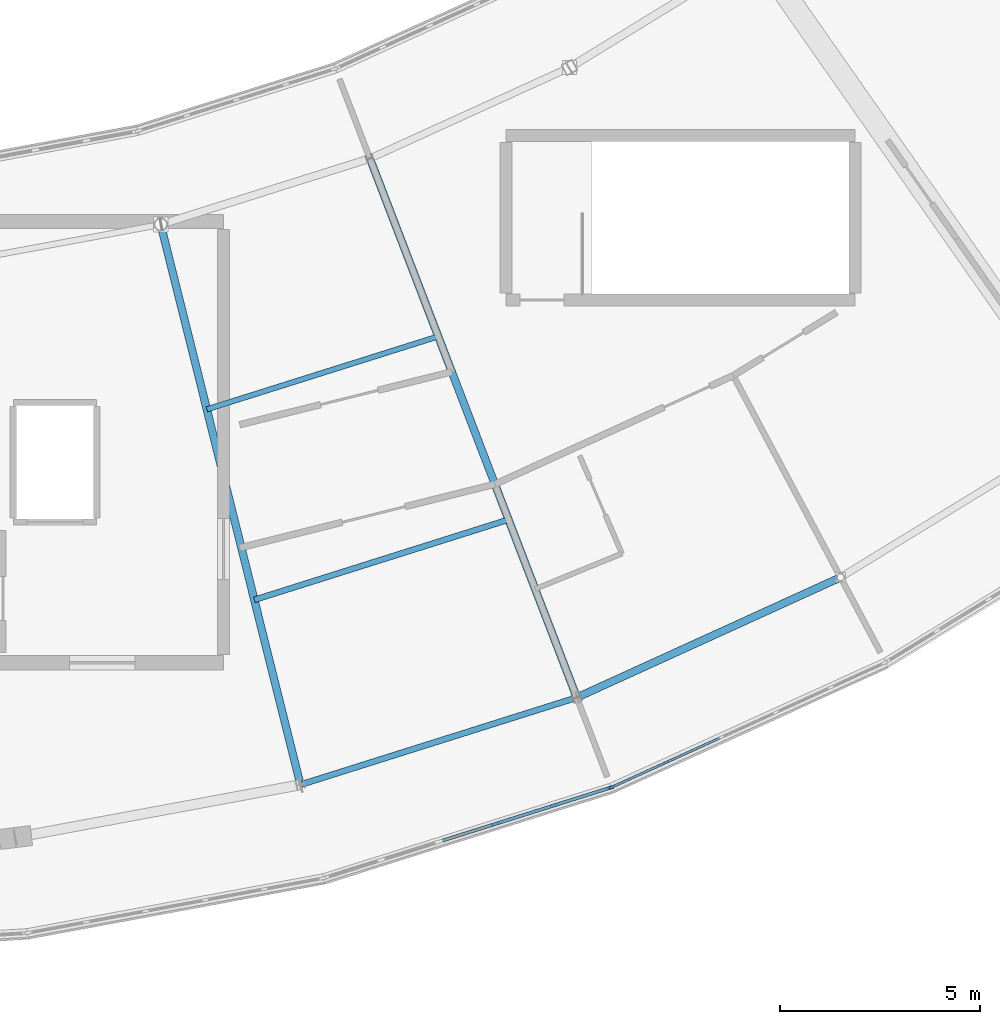
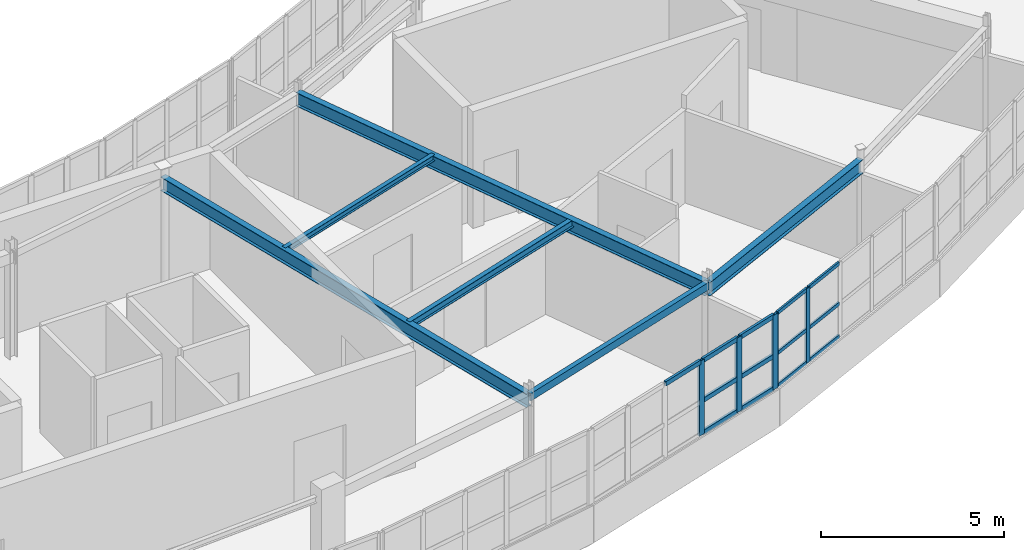
# One storey, part 25 of 79: 18 members, 6 beams, 2 elements without a shape of their own.
"""IFC4 building model written with IfcOpenShell, lengths in metres."""

from ifc_helpers import new_model, si_unit, direction, frame, origin, origin_2d, place, context, subcontext, project, spatial, rectangle, hollow_rectangle, i_section, extrude, material, layer, layer_set, material_profile, profile_set, type_object, element, aggregate, save


model = new_model("IFC4")

# Units and contexts
model_context = context("Model", 3, precision=1e-05, world=origin(), true_north=direction((0.0, 1.0)))
body_context = subcontext(model_context, "Body", "Model", "MODEL_VIEW")
ifc_project = project(units=[si_unit("LENGTHUNIT", "METRE"), si_unit("AREAUNIT", "SQUARE_METRE"), si_unit("VOLUMEUNIT", "CUBIC_METRE"), si_unit("PLANEANGLEUNIT", "RADIAN"), si_unit("MASSUNIT", "GRAM", prefix="KILO")], contexts=[model_context])

# Site, building, storey
site_placement = place(None, origin())
site = spatial("IfcSite", under=ifc_project, at=site_placement, CompositionType="ELEMENT")
building_placement = place(site_placement, origin())
building = spatial("IfcBuilding", under=site, at=building_placement, Name="Tarnwether General Hospital", CompositionType="ELEMENT")
storey_placement = place(building_placement, frame((0.0, 0.0, 18.300048828125)))
storey = spatial("IfcBuildingStorey", under=building, at=storey_placement, Name="L04", CompositionType="ELEMENT", Elevation=18.300048828125)

# Beams
ifc_material_1 = material(Name="Steel Grade 350 (350 MPa)", Category="steel")
ifc_material_profile_1 = material_profile(ifc_material_1, i_section(OverallWidth=0.19091796875, OverallDepth=0.4599609375, WebThickness=0.010009765625, FlangeThickness=0.01611328125, at=origin_2d()), Name="460UB82.1")
ifc_profile_set_1 = profile_set([ifc_material_profile_1], Name="Steel Grade 350 (350 MPa)")
beam_type_1 = type_object("IfcBeamType", Name="BM-G08", PredefinedType="BEAM", material=ifc_profile_set_1)
beam_1_placement = place(storey_placement, frame((106.322021484375, 5.55810546875, 3.329833984375), z_axis=(-0.241941215118, 0.970290909175, 0.0), x_axis=(-0.970290909175, -0.241941215118, 0.0)))
element("IfcBeam", 1, at=beam_1_placement, inside=storey, type_object=beam_type_1, Name="Curved Ward SE Radial Girder BMG-L04-10632_556-10284_1953-2135", PredefinedType="BEAM", context=body_context, shape_type="SweptSolid", body=[
    extrude(i_section(OverallWidth=0.19091796875, OverallDepth=0.4599609375, WebThickness=0.010009765625, FlangeThickness=0.01611328125, at=origin_2d()), origin(), (0.0, 0.0, 1.0), 14.400634765625),
])
ifc_material_2 = material(Name="Steel Grade 350 (350 MPa)", Category="steel")
ifc_material_profile_2 = material_profile(ifc_material_2, i_section(OverallWidth=0.18994140625, OverallDepth=0.45703125, WebThickness=0.009033203125, FlangeThickness=0.014404296875, at=origin_2d()), Name="460UB74.6")
ifc_profile_set_2 = profile_set([ifc_material_profile_2], Name="Steel Grade 350 (350 MPa)")
beam_type_2 = type_object("IfcBeamType", Name="BM-G09", PredefinedType="BEAM", material=ifc_profile_set_2)
beam_2_placement = place(storey_placement, frame((113.215087890625, 7.73193359375, 3.33154296875), z_axis=(-0.358334838026, 0.933593136145, 0.0), x_axis=(-0.933593136145, -0.358334838026, 0.0)))
element("IfcBeam", 2, at=beam_2_placement, inside=storey, type_object=beam_type_2, Name="Curved Ward SE Radial Girder BMG-L04-11322_773-10806_2118-2136", PredefinedType="BEAM", context=body_context, shape_type="SweptSolid", body=[
    extrude(i_section(OverallWidth=0.18994140625, OverallDepth=0.45703125, WebThickness=0.009033203125, FlangeThickness=0.014404296875, at=origin_2d()), origin(), (0.0, 0.0, 1.0), 14.400390625),
])
ifc_material_3 = material(Name="Steel Grade 350 (350 MPa)", Category="steel")
ifc_material_profile_3 = material_profile(ifc_material_3, i_section(OverallWidth=0.14599609375, OverallDepth=0.256103515625, WebThickness=0.00634765625, FlangeThickness=0.010986328125, at=origin_2d()), Name="250UB37.3")
ifc_profile_set_3 = profile_set([ifc_material_profile_3], Name="Steel Grade 350 (350 MPa)")
beam_type_3 = type_object("IfcBeamType", Name="BM-J09", PredefinedType="JOIST", material=ifc_profile_set_3)
beam_3_placement = place(storey_placement, frame((105.172119140625, 10.1689453125, 3.431884765625), z_axis=(0.953671429399, 0.300850136693, 0.0), x_axis=(-0.300850136693, 0.953671429399, 0.0)))
element("IfcBeam", 3, at=beam_3_placement, inside=storey, type_object=beam_type_3, Name="Curved Ward SE Chord Joist BMG-L04-10517_1017-11151_1217-2158", PredefinedType="JOIST", context=body_context, shape_type="SweptSolid", body=[
    extrude(i_section(OverallWidth=0.14599609375, OverallDepth=0.256103515625, WebThickness=0.00634765625, FlangeThickness=0.010986328125, at=origin_2d()), origin(), (0.0, 0.0, 1.0), 6.64794921875),
])
ifc_material_4 = material(Name="Steel Grade 350 (350 MPa)", Category="steel")
ifc_material_profile_4 = material_profile(ifc_material_4, i_section(OverallWidth=0.134033203125, OverallDepth=0.20703125, WebThickness=0.00634765625, FlangeThickness=0.009521484375, at=origin_2d()), Name="200UB29.8")
ifc_profile_set_4 = profile_set([ifc_material_profile_4], Name="Steel Grade 350 (350 MPa)")
beam_type_4 = type_object("IfcBeamType", Name="BM-J12", PredefinedType="JOIST", material=ifc_profile_set_4)
beam_4_placement = place(storey_placement, frame((103.988037109375, 14.919921875, 3.45654296875), z_axis=(0.953725879816, 0.300677478654, 0.0), x_axis=(-0.300677478654, 0.953725879816, 0.0)))
element("IfcBeam", 4, at=beam_4_placement, inside=storey, type_object=beam_type_4, Name="Curved Ward SE Chord Joist BMG-L04-10399_1492-10976_1674-2159", PredefinedType="JOIST", context=body_context, shape_type="SweptSolid", body=[
    extrude(i_section(OverallWidth=0.134033203125, OverallDepth=0.20703125, WebThickness=0.00634765625, FlangeThickness=0.009521484375, at=origin_2d()), origin(), (0.0, 0.0, 1.0), 6.050048828125),
])
ifc_material_5 = material(Name="Steel Grade 350 (350 MPa)", Category="steel")
ifc_material_profile_5 = material_profile(ifc_material_5, i_section(OverallWidth=0.18994140625, OverallDepth=0.4541015625, WebThickness=0.008544921875, FlangeThickness=0.0126953125, at=origin_2d()), Name="460UB67.1")
ifc_profile_set_5 = profile_set([ifc_material_profile_5], Name="Steel Grade 350 (350 MPa)")
beam_type_5 = type_object("IfcBeamType", Name="BM-SP1", PredefinedType="SPANDREL", material=ifc_profile_set_5)
beam_5_placement = place(storey_placement, frame((113.215087890625, 7.73193359375, 3.31298828125), z_axis=(0.909943842177, 0.414731484316, 0.0), x_axis=(-0.414731484316, 0.909943842177, 0.0)))
element("IfcBeam", 5, at=beam_5_placement, inside=storey, type_object=beam_type_5, Name="Curved Ward SE Outer Spandrel BMG-L04-11322_773-11979_1073-2160", PredefinedType="SPANDREL", context=body_context, shape_type="SweptSolid", body=[
    extrude(i_section(OverallWidth=0.18994140625, OverallDepth=0.4541015625, WebThickness=0.008544921875, FlangeThickness=0.0126953125, at=origin_2d()), origin(), (0.0, 0.0, 1.0), 7.22900390625),
])
ifc_material_6 = material(Name="Steel Grade C350L0 (350 MPa)", Category="steel")
ifc_material_profile_6 = material_profile(ifc_material_6, hollow_rectangle(XDim=0.14990234375, YDim=0.25, WallThickness=0.008056640625, at=origin_2d()), Name="RHS250x150x8")
ifc_profile_set_6 = profile_set([ifc_material_profile_6], Name="Steel Grade C350L0 (350 MPa)")
beam_type_6 = type_object("IfcBeamType", Name="BM-SP8", PredefinedType="SPANDREL", material=ifc_profile_set_6)
beam_6_placement = place(storey_placement, frame((106.322021484375, 5.55810546875, 3.43505859375), z_axis=(0.953698988948, 0.300762761125, 0.0), x_axis=(-0.300762761125, 0.953698988948, 0.0)))
element("IfcBeam", 6, at=beam_6_placement, inside=storey, type_object=beam_type_6, Name="Curved Ward SE Outer Spandrel BMG-L04-10632_556-11322_773-2156", PredefinedType="SPANDREL", context=body_context, shape_type="SweptSolid", body=[
    extrude(hollow_rectangle(XDim=0.14990234375, YDim=0.25, WallThickness=0.008056640625, at=origin_2d()), origin(), (0.0, 0.0, 1.0), 7.227783203125),
])

# Curtain wall, members
ifc_material_7 = material(Name="Anodised aluminium", Category="aluminium")
ifc_layer = layer(ifc_material_7, 0.159912109375)
ifc_layer_set = layer_set([ifc_layer], Name="Anodised aluminium")
curtain_wall_type = type_object("IfcCurtainWallType", Name="CW-09", PredefinedType="NOTDEFINED", material=ifc_layer_set)
curtain_wall_1_placement = place(storey_placement, origin())
curtain_wall_1 = element("IfcCurtainWall", 7, at=curtain_wall_1_placement, inside=storey, type_object=curtain_wall_type, Name="Curtain Wall CWG-L04-1209_86-0194", PredefinedType="NOTDEFINED")
ifc_material_8 = material(Name="Anodised aluminium", Category="aluminium")
ifc_material_profile_7 = material_profile(ifc_material_8, rectangle(XDim=0.06005859375, YDim=0.159912109375, at=origin_2d()), Name="ALU-MUL-60x160")
ifc_profile_set_7 = profile_set([ifc_material_profile_7], Name="Anodised aluminium")
member_type_1 = type_object("IfcMemberType", Name="CW-ML1", PredefinedType="MULLION", material=ifc_profile_set_7)
member_1_placement = place(storey_placement, frame((115.44384765625, 6.11474609375, 1.050048828125), z_axis=(0.0, 0.0, 1.0), x_axis=(0.414694289316, -0.909960793886, 0.0)))
member_1 = element("IfcMember", 8, at=member_1_placement, type_object=member_type_1, Name="CW-09 mullion 5", PredefinedType="MULLION", context=body_context, shape_type="SweptSolid", body=[
    extrude(rectangle(XDim=0.06005859375, YDim=0.159912109375, at=origin_2d()), origin(), (0.0, 0.0, 1.0), 2.489990234375),
])
member_2_placement = place(storey_placement, frame((114.102294921875, 5.50341796875, 1.050048828125), z_axis=(0.0, 0.0, 1.0), x_axis=(0.414694289316, -0.909960793886, 0.0)))
member_2 = element("IfcMember", 9, at=member_2_placement, type_object=member_type_1, Name="CW-09 mullion 6", PredefinedType="MULLION", context=body_context, shape_type="SweptSolid", body=[
    extrude(rectangle(XDim=0.06005859375, YDim=0.159912109375, at=origin_2d()), origin(), (0.0, 0.0, 1.0), 2.489990234375),
])

curtain_wall_2_placement = place(storey_placement, origin())
curtain_wall_2 = element("IfcCurtainWall", 10, at=curtain_wall_2_placement, inside=storey, type_object=curtain_wall_type, Name="Curtain Wall CWG-L04-1141_55-0193", PredefinedType="NOTDEFINED")
ifc_material_9 = material(Name="Anodised aluminium", Category="aluminium")
ifc_material_profile_8 = material_profile(ifc_material_9, rectangle(XDim=0.080078125, YDim=0.199951171875, at=origin_2d()), Name="ALU-MUL-80x200")
ifc_profile_set_8 = profile_set([ifc_material_profile_8], Name="Anodised aluminium")
member_type_2 = type_object("IfcMemberType", Name="CW-ML4", PredefinedType="MULLION", material=ifc_profile_set_8)
member_3_placement = place(storey_placement, frame((114.036865234375, 5.47900390625, 1.050048828125), z_axis=(0.0, 0.0, 1.0), x_axis=(0.300628613299, -0.953741284032, 0.0)))
member_3 = element("IfcMember", 11, at=member_3_placement, type_object=member_type_2, Name="CW-09 mullion 1", PredefinedType="MULLION", context=body_context, shape_type="SweptSolid", body=[
    extrude(rectangle(XDim=0.080078125, YDim=0.199951171875, at=origin_2d()), origin(), (0.0, 0.0, 1.0), 2.489990234375),
])
member_4_placement = place(storey_placement, frame((112.640380859375, 5.038818359375, 1.050048828125), z_axis=(0.0, 0.0, 1.0), x_axis=(0.300628613299, -0.953741284032, 0.0)))
member_4 = element("IfcMember", 12, at=member_4_placement, type_object=member_type_2, Name="CW-09 mullion 2", PredefinedType="MULLION", context=body_context, shape_type="SweptSolid", body=[
    extrude(rectangle(XDim=0.080078125, YDim=0.199951171875, at=origin_2d()), origin(), (0.0, 0.0, 1.0), 2.489990234375),
])
member_5_placement = place(storey_placement, frame((111.205810546875, 4.586669921875, 1.050048828125), z_axis=(0.0, 0.0, 1.0), x_axis=(0.300628613299, -0.953741284032, 0.0)))
member_5 = element("IfcMember", 13, at=member_5_placement, type_object=member_type_2, Name="CW-09 mullion 3", PredefinedType="MULLION", context=body_context, shape_type="SweptSolid", body=[
    extrude(rectangle(XDim=0.080078125, YDim=0.199951171875, at=origin_2d()), origin(), (0.0, 0.0, 1.0), 2.489990234375),
])

# Member
ifc_material_10 = material(Name="Anodised aluminium", Category="aluminium")
ifc_material_profile_9 = material_profile(ifc_material_10, rectangle(XDim=0.06005859375, YDim=0.1201171875, at=origin_2d()), Name="ALU-TRN-60x120")
ifc_profile_set_9 = profile_set([ifc_material_profile_9], Name="Anodised aluminium")
member_type_3 = type_object("IfcMemberType", Name="CW-TR1", PredefinedType="USERDEFINED", material=ifc_profile_set_9)
member_6_placement = place(storey_placement, frame((116.785400390625, 6.72607421875, 1.079833984375), z_axis=(-0.909972397692, -0.414668826219, 0.0), x_axis=(0.414668826219, -0.909972397692, 0.0)))
member_6 = element("IfcMember", 14, at=member_6_placement, type_object=member_type_3, Name="CW-09 transom 4.1", ObjectType="TRANSOM", PredefinedType="USERDEFINED", context=body_context, shape_type="SweptSolid", body=[
    extrude(rectangle(XDim=0.06005859375, YDim=0.1201171875, at=origin_2d()), origin(), (0.0, 0.0, 1.0), 1.4443359375),
])

member_7_placement = place(storey_placement, frame((116.785400390625, 6.72607421875, 2.17041015625), z_axis=(-0.909972397692, -0.414668826219, 0.0), x_axis=(0.414668826219, -0.909972397692, 0.0)))
member_7 = element("IfcMember", 15, at=member_7_placement, type_object=member_type_3, Name="CW-09 transom 4.2", ObjectType="TRANSOM", PredefinedType="USERDEFINED", context=body_context, shape_type="SweptSolid", body=[
    extrude(rectangle(XDim=0.06005859375, YDim=0.1201171875, at=origin_2d()), origin(), (0.0, 0.0, 1.0), 1.4443359375),
])

member_8_placement = place(storey_placement, frame((116.785400390625, 6.72607421875, 3.510009765625), z_axis=(-0.909972397692, -0.414668826219, 0.0), x_axis=(0.414668826219, -0.909972397692, 0.0)))
member_8 = element("IfcMember", 16, at=member_8_placement, type_object=member_type_3, Name="CW-09 transom 4.3", ObjectType="TRANSOM", PredefinedType="USERDEFINED", context=body_context, shape_type="SweptSolid", body=[
    extrude(rectangle(XDim=0.06005859375, YDim=0.1201171875, at=origin_2d()), origin(), (0.0, 0.0, 1.0), 1.4443359375),
])

member_9_placement = place(storey_placement, frame((115.41650390625, 6.102294921875, 1.079833984375), z_axis=(-0.909969941072, -0.414674217123, 0.0), x_axis=(0.414674217123, -0.909969941072, 0.0)))
member_9 = element("IfcMember", 17, at=member_9_placement, type_object=member_type_3, Name="CW-09 transom 5.1", ObjectType="TRANSOM", PredefinedType="USERDEFINED", context=body_context, shape_type="SweptSolid", body=[
    extrude(rectangle(XDim=0.06005859375, YDim=0.1201171875, at=origin_2d()), origin(), (0.0, 0.0, 1.0), 1.4140625),
])

member_10_placement = place(storey_placement, frame((115.41650390625, 6.102294921875, 2.17041015625), z_axis=(-0.909969941072, -0.414674217123, 0.0), x_axis=(0.414674217123, -0.909969941072, 0.0)))
member_10 = element("IfcMember", 18, at=member_10_placement, type_object=member_type_3, Name="CW-09 transom 5.2", ObjectType="TRANSOM", PredefinedType="USERDEFINED", context=body_context, shape_type="SweptSolid", body=[
    extrude(rectangle(XDim=0.06005859375, YDim=0.1201171875, at=origin_2d()), origin(), (0.0, 0.0, 1.0), 1.4140625),
])

member_11_placement = place(storey_placement, frame((115.41650390625, 6.102294921875, 3.510009765625), z_axis=(-0.909969941072, -0.414674217123, 0.0), x_axis=(0.414674217123, -0.909969941072, 0.0)))
member_11 = element("IfcMember", 19, at=member_11_placement, type_object=member_type_3, Name="CW-09 transom 5.3", ObjectType="TRANSOM", PredefinedType="USERDEFINED", context=body_context, shape_type="SweptSolid", body=[
    extrude(rectangle(XDim=0.06005859375, YDim=0.1201171875, at=origin_2d()), origin(), (0.0, 0.0, 1.0), 1.4140625),
])

aggregate(curtain_wall_1, [member_1, member_2, member_6, member_7, member_8, member_9, member_10, member_11])

ifc_material_11 = material(Name="Anodised aluminium", Category="aluminium")
ifc_material_profile_10 = material_profile(ifc_material_11, rectangle(XDim=0.080078125, YDim=0.14990234375, at=origin_2d()), Name="ALU-TRN-80x150")
ifc_profile_set_10 = profile_set([ifc_material_profile_10], Name="Anodised aluminium")
member_type_4 = type_object("IfcMemberType", Name="CW-TR4", PredefinedType="USERDEFINED", material=ifc_profile_set_10)
member_12_placement = place(storey_placement, frame((113.998779296875, 5.467041015625, 1.08984375), z_axis=(-0.953723821306, -0.300684008012, 0.0), x_axis=(0.300684008012, -0.953723821306, 0.0)))
member_12 = element("IfcMember", 20, at=member_12_placement, type_object=member_type_4, Name="CW-09 transom 1.1", ObjectType="TRANSOM", PredefinedType="USERDEFINED", context=body_context, shape_type="SweptSolid", body=[
    extrude(rectangle(XDim=0.080078125, YDim=0.14990234375, at=origin_2d()), origin(), (0.0, 0.0, 1.0), 1.38427734375),
])

member_13_placement = place(storey_placement, frame((113.998779296875, 5.467041015625, 2.17041015625), z_axis=(-0.953723821306, -0.300684008012, 0.0), x_axis=(0.300684008012, -0.953723821306, 0.0)))
member_13 = element("IfcMember", 21, at=member_13_placement, type_object=member_type_4, Name="CW-09 transom 1.2", ObjectType="TRANSOM", PredefinedType="USERDEFINED", context=body_context, shape_type="SweptSolid", body=[
    extrude(rectangle(XDim=0.080078125, YDim=0.14990234375, at=origin_2d()), origin(), (0.0, 0.0, 1.0), 1.38427734375),
])

member_14_placement = place(storey_placement, frame((113.998779296875, 5.467041015625, 3.5), z_axis=(-0.953723821306, -0.300684008012, 0.0), x_axis=(0.300684008012, -0.953723821306, 0.0)))
member_14 = element("IfcMember", 22, at=member_14_placement, type_object=member_type_4, Name="CW-09 transom 1.3", ObjectType="TRANSOM", PredefinedType="USERDEFINED", context=body_context, shape_type="SweptSolid", body=[
    extrude(rectangle(XDim=0.080078125, YDim=0.14990234375, at=origin_2d()), origin(), (0.0, 0.0, 1.0), 1.38427734375),
])

member_15_placement = place(storey_placement, frame((112.602294921875, 5.02685546875, 1.08984375), z_axis=(-0.953732801221, -0.300655523606, 0.0), x_axis=(0.300655523606, -0.953732801221, 0.0)))
member_15 = element("IfcMember", 23, at=member_15_placement, type_object=member_type_4, Name="CW-09 transom 2.1", ObjectType="TRANSOM", PredefinedType="USERDEFINED", context=body_context, shape_type="SweptSolid", body=[
    extrude(rectangle(XDim=0.080078125, YDim=0.14990234375, at=origin_2d()), origin(), (0.0, 0.0, 1.0), 1.42431640625),
])

member_16_placement = place(storey_placement, frame((112.602294921875, 5.02685546875, 2.17041015625), z_axis=(-0.953732801221, -0.300655523606, 0.0), x_axis=(0.300655523606, -0.953732801221, 0.0)))
member_16 = element("IfcMember", 24, at=member_16_placement, type_object=member_type_4, Name="CW-09 transom 2.2", ObjectType="TRANSOM", PredefinedType="USERDEFINED", context=body_context, shape_type="SweptSolid", body=[
    extrude(rectangle(XDim=0.080078125, YDim=0.14990234375, at=origin_2d()), origin(), (0.0, 0.0, 1.0), 1.42431640625),
])

member_17_placement = place(storey_placement, frame((112.602294921875, 5.02685546875, 3.5), z_axis=(-0.953732801221, -0.300655523606, 0.0), x_axis=(0.300655523606, -0.953732801221, 0.0)))
member_17 = element("IfcMember", 25, at=member_17_placement, type_object=member_type_4, Name="CW-09 transom 2.3", ObjectType="TRANSOM", PredefinedType="USERDEFINED", context=body_context, shape_type="SweptSolid", body=[
    extrude(rectangle(XDim=0.080078125, YDim=0.14990234375, at=origin_2d()), origin(), (0.0, 0.0, 1.0), 1.42431640625),
])

member_18_placement = place(storey_placement, frame((111.167724609375, 4.574462890625, 3.5), z_axis=(-0.953781942364, -0.30049959471, 0.0), x_axis=(0.30049959471, -0.953781942364, 0.0)))
member_18 = element("IfcMember", 26, at=member_18_placement, type_object=member_type_4, Name="CW-09 transom 3.3", ObjectType="TRANSOM", PredefinedType="USERDEFINED", context=body_context, shape_type="SweptSolid", body=[
    extrude(rectangle(XDim=0.080078125, YDim=0.14990234375, at=origin_2d()), origin(), (0.0, 0.0, 1.0), 1.42431640625),
])

aggregate(curtain_wall_2, [member_3, member_4, member_5, member_12, member_13, member_14, member_15, member_16, member_17, member_18])

save(model, "model.ifc")
